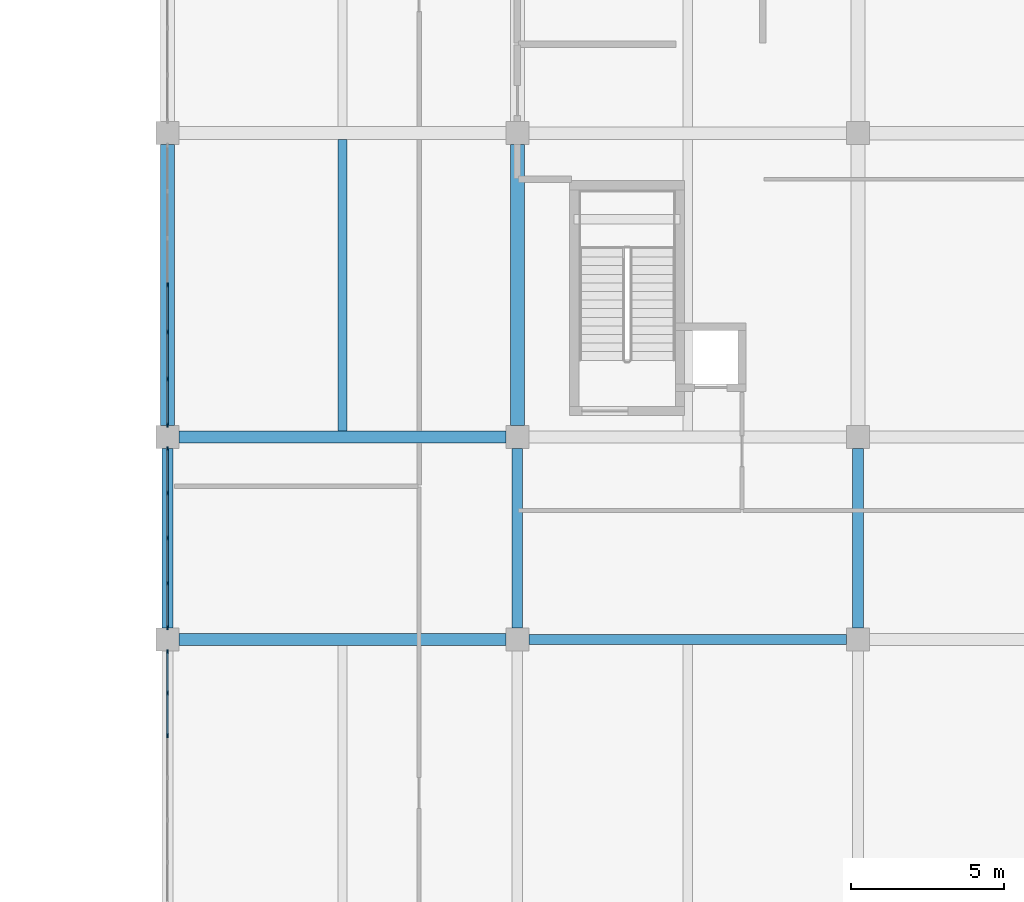
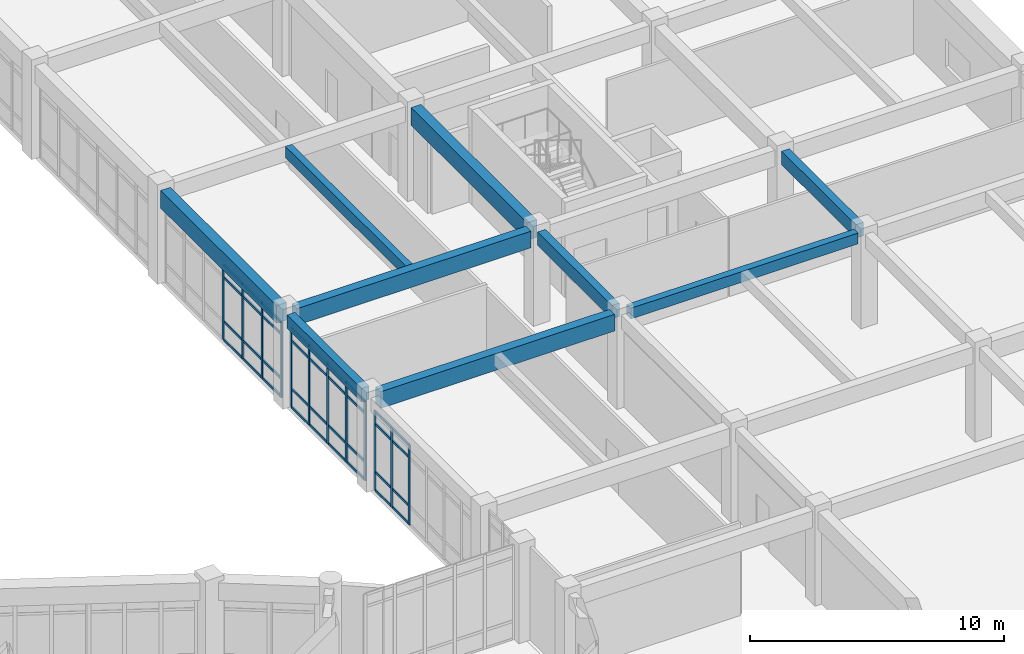
# One storey, part 28 of 68: 48 members, 9 beams, 3 elements without a shape of their own.
"""IFC4 building model written with IfcOpenShell, lengths in metres."""

from ifc_helpers import new_model, si_unit, direction, frame, origin, origin_2d, place, context, subcontext, project, spatial, rectangle, extrude, material, layer, layer_set, material_profile, profile_set, type_object, element, aggregate, save


model = new_model("IFC4")

# Units and contexts
model_context = context("Model", 3, precision=1e-05, world=origin(), true_north=direction((0.0, 1.0)))
body_context = subcontext(model_context, "Body", "Model", "MODEL_VIEW")
ifc_project = project(units=[si_unit("LENGTHUNIT", "METRE"), si_unit("AREAUNIT", "SQUARE_METRE"), si_unit("VOLUMEUNIT", "CUBIC_METRE"), si_unit("PLANEANGLEUNIT", "RADIAN"), si_unit("MASSUNIT", "GRAM", prefix="KILO")], contexts=[model_context])

# Site, building, storey
site_placement = place(None, origin())
site = spatial("IfcSite", under=ifc_project, at=site_placement, CompositionType="ELEMENT")
building_placement = place(site_placement, origin())
building = spatial("IfcBuilding", under=site, at=building_placement, Name="Miralva Faculty of Natural Sciences", CompositionType="ELEMENT")
storey_placement = place(building_placement, frame((0.0, 0.0, 5.39990234375)))
storey = spatial("IfcBuildingStorey", under=building, at=storey_placement, Name="L01", CompositionType="ELEMENT", Elevation=5.39990234375)

# Beams
ifc_material_1 = material(Name="Concrete C40/50", Category="concrete")
ifc_material_profile_1 = material_profile(ifc_material_1, rectangle(XDim=0.449951171875, YDim=0.85009765625, at=origin_2d()), Name="RC 450x850")
ifc_profile_set_1 = profile_set([ifc_material_profile_1], Name="Concrete C40/50")
beam_type_1 = type_object("IfcBeamType", Name="BM-B01", PredefinedType="BEAM", material=ifc_profile_set_1)
for number, where, z_axis, x_axis, name in (
    (1, (133.800048828125, 45.97509765625, 4.05517578125), (0.0, 1.0, 0.0), (-1.0, 0.0, 0.0), "Girder NS L01-164"),
    (2, (145.199951171875, 45.97509765625, 4.05517578125), (0.0, 1.0, 0.0), (-1.0, 0.0, 0.0), "Girder NS L01-171"),
):
    element("IfcBeam", number, at=place(storey_placement, frame(where, z_axis=z_axis, x_axis=x_axis)), inside=storey, type_object=beam_type_1, Name=name, PredefinedType="BEAM", context=body_context, shape_type="SweptSolid", body=[
        extrude(rectangle(XDim=0.449951171875, YDim=0.85009765625, at=origin_2d()), origin(), (0.0, 0.0, 1.0), 9.14990234375),
    ])
ifc_material_profile_2 = material_profile(ifc_material_1, rectangle(XDim=0.39990234375, YDim=0.800048828125, at=origin_2d()), Name="RC 400x800")
ifc_profile_set_2 = profile_set([ifc_material_profile_2], Name="Concrete C40/50")
beam_type_2 = type_object("IfcBeamType", Name="BM-B02", PredefinedType="BEAM", material=ifc_profile_set_2)
for number, where, z_axis, x_axis, name in (
    (3, (134.175048828125, 39.0, 4.080078125), (1.0, 0.0, 0.0), (0.0, 1.0, 0.0), "Girder EW L01-42"),
    (4, (134.175048828125, 45.60009765625, 4.080078125), (1.0, 0.0, 0.0), (0.0, 1.0, 0.0), "Girder EW L01-48"),
):
    element("IfcBeam", number, at=place(storey_placement, frame(where, z_axis=z_axis, x_axis=x_axis)), inside=storey, type_object=beam_type_2, Name=name, PredefinedType="BEAM", context=body_context, shape_type="SweptSolid", body=[
        extrude(rectangle(XDim=0.39990234375, YDim=0.800048828125, at=origin_2d()), origin(), (0.0, 0.0, 1.0), 10.64990234375),
    ])
ifc_material_profile_3 = material_profile(ifc_material_1, rectangle(XDim=0.35009765625, YDim=0.64990234375, at=origin_2d()), Name="RC 350x650")
ifc_profile_set_3 = profile_set([ifc_material_profile_3], Name="Concrete C40/50")
beam_type_3 = type_object("IfcBeamType", Name="BM-B05", PredefinedType="BEAM", material=ifc_profile_set_3)
for number, where, z_axis, x_axis, name in (
    (5, (133.800048828125, 39.375, 4.155029296875), (0.0, 1.0, 0.0), (-1.0, 0.0, 0.0), "Girder NS L01-163"),
    (6, (145.199951171875, 39.375, 4.155029296875), (0.0, 1.0, 0.0), (-1.0, 0.0, 0.0), "Girder NS L01-170"),
    (7, (156.300048828125, 39.375, 4.155029296875), (0.0, 1.0, 0.0), (-1.0, 0.0, 0.0), "Girder NS L01-177"),
):
    element("IfcBeam", number, at=place(storey_placement, frame(where, z_axis=z_axis, x_axis=x_axis)), inside=storey, type_object=beam_type_3, Name=name, PredefinedType="BEAM", context=body_context, shape_type="SweptSolid", body=[
        extrude(rectangle(XDim=0.35009765625, YDim=0.64990234375, at=origin_2d()), origin(), (0.0, 0.0, 1.0), 5.85009765625),
    ])
ifc_material_profile_4 = material_profile(ifc_material_1, rectangle(XDim=0.320068359375, YDim=0.52001953125, at=origin_2d()), Name="RC 320x520")
ifc_profile_set_4 = profile_set([ifc_material_profile_4], Name="Concrete C40/50")
beam_type_4 = type_object("IfcBeamType", Name="BM-BG01", PredefinedType="BEAM", material=ifc_profile_set_4)
beam_1_placement = place(storey_placement, frame((145.574951171875, 39.0, 4.22021484375), z_axis=(1.0, 0.0, 0.0), x_axis=(0.0, 1.0, 0.0)))
element("IfcBeam", 8, at=beam_1_placement, inside=storey, type_object=beam_type_4, Name="Girder EW L01-43", PredefinedType="BEAM", context=body_context, shape_type="SweptSolid", body=[
    extrude(rectangle(XDim=0.320068359375, YDim=0.52001953125, at=origin_2d()), origin(), (0.0, 0.0, 1.0), 10.35009765625),
])
ifc_material_profile_5 = material_profile(ifc_material_1, rectangle(XDim=0.300048828125, YDim=0.550048828125, at=origin_2d()), Name="RC 300x550")
ifc_profile_set_5 = profile_set([ifc_material_profile_5], Name="Concrete C40/50")
beam_type_5 = type_object("IfcBeamType", Name="BM-J02", PredefinedType="JOIST", material=ifc_profile_set_5)
beam_2_placement = place(storey_placement, frame((139.5, 45.800048828125, 4.205078125), z_axis=(0.0, 1.0, 0.0), x_axis=(-1.0, 0.0, 0.0)))
element("IfcBeam", 9, at=beam_2_placement, inside=storey, type_object=beam_type_5, Name="Floor joist L01-14", PredefinedType="JOIST", context=body_context, shape_type="SweptSolid", body=[
    extrude(rectangle(XDim=0.300048828125, YDim=0.550048828125, at=origin_2d()), origin(), (0.0, 0.0, 1.0), 9.489990234375),
])

# Curtain wall, members
ifc_material_2 = material(Name="Laminated solar-control glass", Category="glass")
ifc_layer = layer(ifc_material_2, 0.179931640625, Name="CW-COM-L01")
ifc_layer_set = layer_set([ifc_layer], Name="Laminated solar-control glass")
curtain_wall_type = type_object("IfcCurtainWallType", Name="CW-COM-L01", PredefinedType="USERDEFINED", material=ifc_layer_set)
curtain_wall_1_placement = place(storey_placement, origin())
curtain_wall_1 = element("IfcCurtainWall", 10, at=curtain_wall_1_placement, inside=storey, type_object=curtain_wall_type, Name="Curtain wall CW-10 L01-263", ObjectType="UNITISED CURTAIN WALL", PredefinedType="USERDEFINED")
ifc_material_3 = material(Name="Anodised aluminium", Category="aluminium")
ifc_material_profile_6 = material_profile(ifc_material_3, rectangle(XDim=0.06005859375, YDim=0.139892578125, at=origin_2d()), Name="MULLION 60x140")
ifc_profile_set_6 = profile_set([ifc_material_profile_6], Name="Anodised aluminium")
member_type_1 = type_object("IfcMemberType", Name="CW-M03", PredefinedType="MULLION", material=ifc_profile_set_6)
member_1_placement = place(storey_placement, frame((133.800048828125, 35.87841796875, 0.0), z_axis=(0.0, 0.0, 1.0), x_axis=(-1.0, 0.0, 0.0)))
member_1 = element("IfcMember", 11, at=member_1_placement, type_object=member_type_1, Name="CW-10 mullion 5", PredefinedType="MULLION", context=body_context, shape_type="SweptSolid", body=[
    extrude(rectangle(XDim=0.06005859375, YDim=0.139892578125, at=origin_2d()), origin(), (0.0, 0.0, 1.0), 3.8251953125),
])
member_2_placement = place(storey_placement, frame((133.800048828125, 37.256591796875, 0.0), z_axis=(0.0, 0.0, 1.0), x_axis=(-1.0, 0.0, 0.0)))
member_2 = element("IfcMember", 12, at=member_2_placement, type_object=member_type_1, Name="CW-10 mullion 6", PredefinedType="MULLION", context=body_context, shape_type="SweptSolid", body=[
    extrude(rectangle(XDim=0.06005859375, YDim=0.139892578125, at=origin_2d()), origin(), (0.0, 0.0, 1.0), 3.8251953125),
])
member_3_placement = place(storey_placement, frame((133.800048828125, 38.60498046875, 0.0), z_axis=(0.0, 0.0, 1.0), x_axis=(-1.0, 0.0, 0.0)))
member_3 = element("IfcMember", 13, at=member_3_placement, type_object=member_type_1, Name="CW-10 mullion 7", PredefinedType="MULLION", context=body_context, shape_type="SweptSolid", body=[
    extrude(rectangle(XDim=0.06005859375, YDim=0.139892578125, at=origin_2d()), origin(), (0.0, 0.0, 1.0), 3.8251953125),
])

curtain_wall_2_placement = place(storey_placement, origin())
curtain_wall_2 = element("IfcCurtainWall", 14, at=curtain_wall_2_placement, inside=storey, type_object=curtain_wall_type, Name="Curtain wall CW-10 L01-264", ObjectType="UNITISED CURTAIN WALL", PredefinedType="USERDEFINED")
member_4_placement = place(storey_placement, frame((133.800048828125, 39.39501953125, 0.0), z_axis=(0.0, 0.0, 1.0), x_axis=(-1.0, 0.0, 0.0)))
member_4 = element("IfcMember", 15, at=member_4_placement, type_object=member_type_1, Name="CW-10 mullion 1", PredefinedType="MULLION", context=body_context, shape_type="SweptSolid", body=[
    extrude(rectangle(XDim=0.06005859375, YDim=0.139892578125, at=origin_2d()), origin(), (0.0, 0.0, 1.0), 3.8251953125),
])
member_5_placement = place(storey_placement, frame((133.800048828125, 40.8349609375, 0.0), z_axis=(0.0, 0.0, 1.0), x_axis=(-1.0, 0.0, 0.0)))
member_5 = element("IfcMember", 16, at=member_5_placement, type_object=member_type_1, Name="CW-10 mullion 2", PredefinedType="MULLION", context=body_context, shape_type="SweptSolid", body=[
    extrude(rectangle(XDim=0.06005859375, YDim=0.139892578125, at=origin_2d()), origin(), (0.0, 0.0, 1.0), 3.8251953125),
])
member_6_placement = place(storey_placement, frame((133.800048828125, 42.304931640625, 0.0), z_axis=(0.0, 0.0, 1.0), x_axis=(-1.0, 0.0, 0.0)))
member_6 = element("IfcMember", 17, at=member_6_placement, type_object=member_type_1, Name="CW-10 mullion 3", PredefinedType="MULLION", context=body_context, shape_type="SweptSolid", body=[
    extrude(rectangle(XDim=0.06005859375, YDim=0.139892578125, at=origin_2d()), origin(), (0.0, 0.0, 1.0), 3.8251953125),
])
member_7_placement = place(storey_placement, frame((133.800048828125, 43.77490234375, 0.0), z_axis=(0.0, 0.0, 1.0), x_axis=(-1.0, 0.0, 0.0)))
member_7 = element("IfcMember", 18, at=member_7_placement, type_object=member_type_1, Name="CW-10 mullion 4", PredefinedType="MULLION", context=body_context, shape_type="SweptSolid", body=[
    extrude(rectangle(XDim=0.06005859375, YDim=0.139892578125, at=origin_2d()), origin(), (0.0, 0.0, 1.0), 3.8251953125),
])
member_8_placement = place(storey_placement, frame((133.800048828125, 45.215087890625, 0.0), z_axis=(0.0, 0.0, 1.0), x_axis=(-1.0, 0.0, 0.0)))
member_8 = element("IfcMember", 19, at=member_8_placement, type_object=member_type_1, Name="CW-10 mullion 5", PredefinedType="MULLION", context=body_context, shape_type="SweptSolid", body=[
    extrude(rectangle(XDim=0.06005859375, YDim=0.139892578125, at=origin_2d()), origin(), (0.0, 0.0, 1.0), 3.8251953125),
])

curtain_wall_3_placement = place(storey_placement, origin())
curtain_wall_3 = element("IfcCurtainWall", 20, at=curtain_wall_3_placement, inside=storey, type_object=curtain_wall_type, Name="Curtain wall CW-10 L01-265", ObjectType="UNITISED CURTAIN WALL", PredefinedType="USERDEFINED")
member_9_placement = place(storey_placement, frame((133.800048828125, 45.9951171875, 0.0), z_axis=(0.0, 0.0, 1.0), x_axis=(-1.0, 0.0, 0.0)))
member_9 = element("IfcMember", 21, at=member_9_placement, type_object=member_type_1, Name="CW-10 mullion 1", PredefinedType="MULLION", context=body_context, shape_type="SweptSolid", body=[
    extrude(rectangle(XDim=0.06005859375, YDim=0.139892578125, at=origin_2d()), origin(), (0.0, 0.0, 1.0), 3.625),
])
member_10_placement = place(storey_placement, frame((133.800048828125, 47.493408203125, 0.0), z_axis=(0.0, 0.0, 1.0), x_axis=(-1.0, 0.0, 0.0)))
member_10 = element("IfcMember", 22, at=member_10_placement, type_object=member_type_1, Name="CW-10 mullion 2", PredefinedType="MULLION", context=body_context, shape_type="SweptSolid", body=[
    extrude(rectangle(XDim=0.06005859375, YDim=0.139892578125, at=origin_2d()), origin(), (0.0, 0.0, 1.0), 3.625),
])
member_11_placement = place(storey_placement, frame((133.800048828125, 49.021728515625, 0.0), z_axis=(0.0, 0.0, 1.0), x_axis=(-1.0, 0.0, 0.0)))
member_11 = element("IfcMember", 23, at=member_11_placement, type_object=member_type_1, Name="CW-10 mullion 3", PredefinedType="MULLION", context=body_context, shape_type="SweptSolid", body=[
    extrude(rectangle(XDim=0.06005859375, YDim=0.139892578125, at=origin_2d()), origin(), (0.0, 0.0, 1.0), 3.625),
])
member_12_placement = place(storey_placement, frame((133.800048828125, 50.550048828125, 0.0), z_axis=(0.0, 0.0, 1.0), x_axis=(-1.0, 0.0, 0.0)))
member_12 = element("IfcMember", 24, at=member_12_placement, type_object=member_type_1, Name="CW-10 mullion 4", PredefinedType="MULLION", context=body_context, shape_type="SweptSolid", body=[
    extrude(rectangle(XDim=0.06005859375, YDim=0.139892578125, at=origin_2d()), origin(), (0.0, 0.0, 1.0), 3.625),
])

# Member
ifc_material_profile_7 = material_profile(ifc_material_3, rectangle(XDim=0.06005859375, YDim=0.1201171875, at=origin_2d()), Name="TRANSOM 60x120")
ifc_profile_set_7 = profile_set([ifc_material_profile_7], Name="Anodised aluminium")
member_type_2 = type_object("IfcMemberType", Name="CW-T02", PredefinedType="USERDEFINED", material=ifc_profile_set_7)
member_13_placement = place(storey_placement, frame((133.800048828125, 35.908447265625, 0.030029296875), z_axis=(0.0, 1.0, 0.0), x_axis=(-1.0, 0.0, 0.0)))
member_13 = element("IfcMember", 25, at=member_13_placement, type_object=member_type_2, Name="CW-10 transom 5.1", ObjectType="TRANSOM", PredefinedType="USERDEFINED", context=body_context, shape_type="SweptSolid", body=[
    extrude(rectangle(XDim=0.06005859375, YDim=0.1201171875, at=origin_2d()), origin(), (0.0, 0.0, 1.0), 1.318115234375),
])

member_14_placement = place(storey_placement, frame((133.800048828125, 35.908447265625, 0.900146484375), z_axis=(0.0, 1.0, 0.0), x_axis=(-1.0, 0.0, 0.0)))
member_14 = element("IfcMember", 26, at=member_14_placement, type_object=member_type_2, Name="CW-10 transom 5.2", ObjectType="TRANSOM", PredefinedType="USERDEFINED", context=body_context, shape_type="SweptSolid", body=[
    extrude(rectangle(XDim=0.06005859375, YDim=0.1201171875, at=origin_2d()), origin(), (0.0, 0.0, 1.0), 1.318115234375),
])

member_15_placement = place(storey_placement, frame((133.800048828125, 35.908447265625, 3.22509765625), z_axis=(0.0, 1.0, 0.0), x_axis=(-1.0, 0.0, 0.0)))
member_15 = element("IfcMember", 27, at=member_15_placement, type_object=member_type_2, Name="CW-10 transom 5.3", ObjectType="TRANSOM", PredefinedType="USERDEFINED", context=body_context, shape_type="SweptSolid", body=[
    extrude(rectangle(XDim=0.06005859375, YDim=0.1201171875, at=origin_2d()), origin(), (0.0, 0.0, 1.0), 1.318115234375),
])

member_16_placement = place(storey_placement, frame((133.800048828125, 35.908447265625, 3.795166015625), z_axis=(0.0, 1.0, 0.0), x_axis=(-1.0, 0.0, 0.0)))
member_16 = element("IfcMember", 28, at=member_16_placement, type_object=member_type_2, Name="CW-10 transom 5.4", ObjectType="TRANSOM", PredefinedType="USERDEFINED", context=body_context, shape_type="SweptSolid", body=[
    extrude(rectangle(XDim=0.06005859375, YDim=0.1201171875, at=origin_2d()), origin(), (0.0, 0.0, 1.0), 1.318115234375),
])

member_17_placement = place(storey_placement, frame((133.800048828125, 37.28662109375, 0.030029296875), z_axis=(0.0, 1.0, 0.0), x_axis=(-1.0, 0.0, 0.0)))
member_17 = element("IfcMember", 29, at=member_17_placement, type_object=member_type_2, Name="CW-10 transom 6.1", ObjectType="TRANSOM", PredefinedType="USERDEFINED", context=body_context, shape_type="SweptSolid", body=[
    extrude(rectangle(XDim=0.06005859375, YDim=0.1201171875, at=origin_2d()), origin(), (0.0, 0.0, 1.0), 1.288330078125),
])

member_18_placement = place(storey_placement, frame((133.800048828125, 37.28662109375, 0.900146484375), z_axis=(0.0, 1.0, 0.0), x_axis=(-1.0, 0.0, 0.0)))
member_18 = element("IfcMember", 30, at=member_18_placement, type_object=member_type_2, Name="CW-10 transom 6.2", ObjectType="TRANSOM", PredefinedType="USERDEFINED", context=body_context, shape_type="SweptSolid", body=[
    extrude(rectangle(XDim=0.06005859375, YDim=0.1201171875, at=origin_2d()), origin(), (0.0, 0.0, 1.0), 1.288330078125),
])

member_19_placement = place(storey_placement, frame((133.800048828125, 37.28662109375, 3.22509765625), z_axis=(0.0, 1.0, 0.0), x_axis=(-1.0, 0.0, 0.0)))
member_19 = element("IfcMember", 31, at=member_19_placement, type_object=member_type_2, Name="CW-10 transom 6.3", ObjectType="TRANSOM", PredefinedType="USERDEFINED", context=body_context, shape_type="SweptSolid", body=[
    extrude(rectangle(XDim=0.06005859375, YDim=0.1201171875, at=origin_2d()), origin(), (0.0, 0.0, 1.0), 1.288330078125),
])

member_20_placement = place(storey_placement, frame((133.800048828125, 37.28662109375, 3.795166015625), z_axis=(0.0, 1.0, 0.0), x_axis=(-1.0, 0.0, 0.0)))
member_20 = element("IfcMember", 32, at=member_20_placement, type_object=member_type_2, Name="CW-10 transom 6.4", ObjectType="TRANSOM", PredefinedType="USERDEFINED", context=body_context, shape_type="SweptSolid", body=[
    extrude(rectangle(XDim=0.06005859375, YDim=0.1201171875, at=origin_2d()), origin(), (0.0, 0.0, 1.0), 1.288330078125),
])

aggregate(curtain_wall_1, [member_1, member_2, member_3, member_13, member_14, member_15, member_16, member_17, member_18, member_19, member_20])

member_21_placement = place(storey_placement, frame((133.800048828125, 39.425048828125, 0.030029296875), z_axis=(0.0, 1.0, 0.0), x_axis=(-1.0, 0.0, 0.0)))
member_21 = element("IfcMember", 33, at=member_21_placement, type_object=member_type_2, Name="CW-10 transom 1.1", ObjectType="TRANSOM", PredefinedType="USERDEFINED", context=body_context, shape_type="SweptSolid", body=[
    extrude(rectangle(XDim=0.06005859375, YDim=0.1201171875, at=origin_2d()), origin(), (0.0, 0.0, 1.0), 1.3798828125),
])

member_22_placement = place(storey_placement, frame((133.800048828125, 39.425048828125, 0.900146484375), z_axis=(0.0, 1.0, 0.0), x_axis=(-1.0, 0.0, 0.0)))
member_22 = element("IfcMember", 34, at=member_22_placement, type_object=member_type_2, Name="CW-10 transom 1.2", ObjectType="TRANSOM", PredefinedType="USERDEFINED", context=body_context, shape_type="SweptSolid", body=[
    extrude(rectangle(XDim=0.06005859375, YDim=0.1201171875, at=origin_2d()), origin(), (0.0, 0.0, 1.0), 1.3798828125),
])

member_23_placement = place(storey_placement, frame((133.800048828125, 39.425048828125, 3.22509765625), z_axis=(0.0, 1.0, 0.0), x_axis=(-1.0, 0.0, 0.0)))
member_23 = element("IfcMember", 35, at=member_23_placement, type_object=member_type_2, Name="CW-10 transom 1.3", ObjectType="TRANSOM", PredefinedType="USERDEFINED", context=body_context, shape_type="SweptSolid", body=[
    extrude(rectangle(XDim=0.06005859375, YDim=0.1201171875, at=origin_2d()), origin(), (0.0, 0.0, 1.0), 1.3798828125),
])

member_24_placement = place(storey_placement, frame((133.800048828125, 39.425048828125, 3.795166015625), z_axis=(0.0, 1.0, 0.0), x_axis=(-1.0, 0.0, 0.0)))
member_24 = element("IfcMember", 36, at=member_24_placement, type_object=member_type_2, Name="CW-10 transom 1.4", ObjectType="TRANSOM", PredefinedType="USERDEFINED", context=body_context, shape_type="SweptSolid", body=[
    extrude(rectangle(XDim=0.06005859375, YDim=0.1201171875, at=origin_2d()), origin(), (0.0, 0.0, 1.0), 1.3798828125),
])

member_25_placement = place(storey_placement, frame((133.800048828125, 40.864990234375, 0.030029296875), z_axis=(0.0, 1.0, 0.0), x_axis=(-1.0, 0.0, 0.0)))
member_25 = element("IfcMember", 37, at=member_25_placement, type_object=member_type_2, Name="CW-10 transom 2.1", ObjectType="TRANSOM", PredefinedType="USERDEFINED", context=body_context, shape_type="SweptSolid", body=[
    extrude(rectangle(XDim=0.06005859375, YDim=0.1201171875, at=origin_2d()), origin(), (0.0, 0.0, 1.0), 1.409912109375),
])

member_26_placement = place(storey_placement, frame((133.800048828125, 40.864990234375, 0.900146484375), z_axis=(0.0, 1.0, 0.0), x_axis=(-1.0, 0.0, 0.0)))
member_26 = element("IfcMember", 38, at=member_26_placement, type_object=member_type_2, Name="CW-10 transom 2.2", ObjectType="TRANSOM", PredefinedType="USERDEFINED", context=body_context, shape_type="SweptSolid", body=[
    extrude(rectangle(XDim=0.06005859375, YDim=0.1201171875, at=origin_2d()), origin(), (0.0, 0.0, 1.0), 1.409912109375),
])

member_27_placement = place(storey_placement, frame((133.800048828125, 40.864990234375, 3.22509765625), z_axis=(0.0, 1.0, 0.0), x_axis=(-1.0, 0.0, 0.0)))
member_27 = element("IfcMember", 39, at=member_27_placement, type_object=member_type_2, Name="CW-10 transom 2.3", ObjectType="TRANSOM", PredefinedType="USERDEFINED", context=body_context, shape_type="SweptSolid", body=[
    extrude(rectangle(XDim=0.06005859375, YDim=0.1201171875, at=origin_2d()), origin(), (0.0, 0.0, 1.0), 1.409912109375),
])

member_28_placement = place(storey_placement, frame((133.800048828125, 40.864990234375, 3.795166015625), z_axis=(0.0, 1.0, 0.0), x_axis=(-1.0, 0.0, 0.0)))
member_28 = element("IfcMember", 40, at=member_28_placement, type_object=member_type_2, Name="CW-10 transom 2.4", ObjectType="TRANSOM", PredefinedType="USERDEFINED", context=body_context, shape_type="SweptSolid", body=[
    extrude(rectangle(XDim=0.06005859375, YDim=0.1201171875, at=origin_2d()), origin(), (0.0, 0.0, 1.0), 1.409912109375),
])

member_29_placement = place(storey_placement, frame((133.800048828125, 42.3349609375, 0.030029296875), z_axis=(0.0, 1.0, 0.0), x_axis=(-1.0, 0.0, 0.0)))
member_29 = element("IfcMember", 41, at=member_29_placement, type_object=member_type_2, Name="CW-10 transom 3.1", ObjectType="TRANSOM", PredefinedType="USERDEFINED", context=body_context, shape_type="SweptSolid", body=[
    extrude(rectangle(XDim=0.06005859375, YDim=0.1201171875, at=origin_2d()), origin(), (0.0, 0.0, 1.0), 1.41015625),
])

member_30_placement = place(storey_placement, frame((133.800048828125, 42.3349609375, 0.900146484375), z_axis=(0.0, 1.0, 0.0), x_axis=(-1.0, 0.0, 0.0)))
member_30 = element("IfcMember", 42, at=member_30_placement, type_object=member_type_2, Name="CW-10 transom 3.2", ObjectType="TRANSOM", PredefinedType="USERDEFINED", context=body_context, shape_type="SweptSolid", body=[
    extrude(rectangle(XDim=0.06005859375, YDim=0.1201171875, at=origin_2d()), origin(), (0.0, 0.0, 1.0), 1.41015625),
])

member_31_placement = place(storey_placement, frame((133.800048828125, 42.3349609375, 3.22509765625), z_axis=(0.0, 1.0, 0.0), x_axis=(-1.0, 0.0, 0.0)))
member_31 = element("IfcMember", 43, at=member_31_placement, type_object=member_type_2, Name="CW-10 transom 3.3", ObjectType="TRANSOM", PredefinedType="USERDEFINED", context=body_context, shape_type="SweptSolid", body=[
    extrude(rectangle(XDim=0.06005859375, YDim=0.1201171875, at=origin_2d()), origin(), (0.0, 0.0, 1.0), 1.41015625),
])

member_32_placement = place(storey_placement, frame((133.800048828125, 42.3349609375, 3.795166015625), z_axis=(0.0, 1.0, 0.0), x_axis=(-1.0, 0.0, 0.0)))
member_32 = element("IfcMember", 44, at=member_32_placement, type_object=member_type_2, Name="CW-10 transom 3.4", ObjectType="TRANSOM", PredefinedType="USERDEFINED", context=body_context, shape_type="SweptSolid", body=[
    extrude(rectangle(XDim=0.06005859375, YDim=0.1201171875, at=origin_2d()), origin(), (0.0, 0.0, 1.0), 1.41015625),
])

member_33_placement = place(storey_placement, frame((133.800048828125, 43.804931640625, 0.030029296875), z_axis=(0.0, 1.0, 0.0), x_axis=(-1.0, 0.0, 0.0)))
member_33 = element("IfcMember", 45, at=member_33_placement, type_object=member_type_2, Name="CW-10 transom 4.1", ObjectType="TRANSOM", PredefinedType="USERDEFINED", context=body_context, shape_type="SweptSolid", body=[
    extrude(rectangle(XDim=0.06005859375, YDim=0.1201171875, at=origin_2d()), origin(), (0.0, 0.0, 1.0), 1.380126953125),
])

member_34_placement = place(storey_placement, frame((133.800048828125, 43.804931640625, 0.900146484375), z_axis=(0.0, 1.0, 0.0), x_axis=(-1.0, 0.0, 0.0)))
member_34 = element("IfcMember", 46, at=member_34_placement, type_object=member_type_2, Name="CW-10 transom 4.2", ObjectType="TRANSOM", PredefinedType="USERDEFINED", context=body_context, shape_type="SweptSolid", body=[
    extrude(rectangle(XDim=0.06005859375, YDim=0.1201171875, at=origin_2d()), origin(), (0.0, 0.0, 1.0), 1.380126953125),
])

member_35_placement = place(storey_placement, frame((133.800048828125, 43.804931640625, 3.22509765625), z_axis=(0.0, 1.0, 0.0), x_axis=(-1.0, 0.0, 0.0)))
member_35 = element("IfcMember", 47, at=member_35_placement, type_object=member_type_2, Name="CW-10 transom 4.3", ObjectType="TRANSOM", PredefinedType="USERDEFINED", context=body_context, shape_type="SweptSolid", body=[
    extrude(rectangle(XDim=0.06005859375, YDim=0.1201171875, at=origin_2d()), origin(), (0.0, 0.0, 1.0), 1.380126953125),
])

member_36_placement = place(storey_placement, frame((133.800048828125, 43.804931640625, 3.795166015625), z_axis=(0.0, 1.0, 0.0), x_axis=(-1.0, 0.0, 0.0)))
member_36 = element("IfcMember", 48, at=member_36_placement, type_object=member_type_2, Name="CW-10 transom 4.4", ObjectType="TRANSOM", PredefinedType="USERDEFINED", context=body_context, shape_type="SweptSolid", body=[
    extrude(rectangle(XDim=0.06005859375, YDim=0.1201171875, at=origin_2d()), origin(), (0.0, 0.0, 1.0), 1.380126953125),
])

aggregate(curtain_wall_2, [member_4, member_5, member_6, member_7, member_8, member_21, member_22, member_23, member_24, member_25, member_26, member_27, member_28, member_29, member_30, member_31, member_32, member_33, member_34, member_35, member_36])

member_37_placement = place(storey_placement, frame((133.800048828125, 46.02490234375, 0.030029296875), z_axis=(0.0, 1.0, 0.0), x_axis=(-1.0, 0.0, 0.0)))
member_37 = element("IfcMember", 49, at=member_37_placement, type_object=member_type_2, Name="CW-10 transom 1.1", ObjectType="TRANSOM", PredefinedType="USERDEFINED", context=body_context, shape_type="SweptSolid", body=[
    extrude(rectangle(XDim=0.06005859375, YDim=0.1201171875, at=origin_2d()), origin(), (0.0, 0.0, 1.0), 1.4384765625),
])

member_38_placement = place(storey_placement, frame((133.800048828125, 46.02490234375, 0.900146484375), z_axis=(0.0, 1.0, 0.0), x_axis=(-1.0, 0.0, 0.0)))
member_38 = element("IfcMember", 50, at=member_38_placement, type_object=member_type_2, Name="CW-10 transom 1.2", ObjectType="TRANSOM", PredefinedType="USERDEFINED", context=body_context, shape_type="SweptSolid", body=[
    extrude(rectangle(XDim=0.06005859375, YDim=0.1201171875, at=origin_2d()), origin(), (0.0, 0.0, 1.0), 1.4384765625),
])

member_39_placement = place(storey_placement, frame((133.800048828125, 46.02490234375, 3.025146484375), z_axis=(0.0, 1.0, 0.0), x_axis=(-1.0, 0.0, 0.0)))
member_39 = element("IfcMember", 51, at=member_39_placement, type_object=member_type_2, Name="CW-10 transom 1.3", ObjectType="TRANSOM", PredefinedType="USERDEFINED", context=body_context, shape_type="SweptSolid", body=[
    extrude(rectangle(XDim=0.06005859375, YDim=0.1201171875, at=origin_2d()), origin(), (0.0, 0.0, 1.0), 1.4384765625),
])

member_40_placement = place(storey_placement, frame((133.800048828125, 46.02490234375, 3.59521484375), z_axis=(0.0, 1.0, 0.0), x_axis=(-1.0, 0.0, 0.0)))
member_40 = element("IfcMember", 52, at=member_40_placement, type_object=member_type_2, Name="CW-10 transom 1.4", ObjectType="TRANSOM", PredefinedType="USERDEFINED", context=body_context, shape_type="SweptSolid", body=[
    extrude(rectangle(XDim=0.06005859375, YDim=0.1201171875, at=origin_2d()), origin(), (0.0, 0.0, 1.0), 1.4384765625),
])

member_41_placement = place(storey_placement, frame((133.800048828125, 47.5234375, 0.030029296875), z_axis=(0.0, 1.0, 0.0), x_axis=(-1.0, 0.0, 0.0)))
member_41 = element("IfcMember", 53, at=member_41_placement, type_object=member_type_2, Name="CW-10 transom 2.1", ObjectType="TRANSOM", PredefinedType="USERDEFINED", context=body_context, shape_type="SweptSolid", body=[
    extrude(rectangle(XDim=0.06005859375, YDim=0.1201171875, at=origin_2d()), origin(), (0.0, 0.0, 1.0), 1.46826171875),
])

member_42_placement = place(storey_placement, frame((133.800048828125, 47.5234375, 0.900146484375), z_axis=(0.0, 1.0, 0.0), x_axis=(-1.0, 0.0, 0.0)))
member_42 = element("IfcMember", 54, at=member_42_placement, type_object=member_type_2, Name="CW-10 transom 2.2", ObjectType="TRANSOM", PredefinedType="USERDEFINED", context=body_context, shape_type="SweptSolid", body=[
    extrude(rectangle(XDim=0.06005859375, YDim=0.1201171875, at=origin_2d()), origin(), (0.0, 0.0, 1.0), 1.46826171875),
])

member_43_placement = place(storey_placement, frame((133.800048828125, 47.5234375, 3.025146484375), z_axis=(0.0, 1.0, 0.0), x_axis=(-1.0, 0.0, 0.0)))
member_43 = element("IfcMember", 55, at=member_43_placement, type_object=member_type_2, Name="CW-10 transom 2.3", ObjectType="TRANSOM", PredefinedType="USERDEFINED", context=body_context, shape_type="SweptSolid", body=[
    extrude(rectangle(XDim=0.06005859375, YDim=0.1201171875, at=origin_2d()), origin(), (0.0, 0.0, 1.0), 1.46826171875),
])

member_44_placement = place(storey_placement, frame((133.800048828125, 47.5234375, 3.59521484375), z_axis=(0.0, 1.0, 0.0), x_axis=(-1.0, 0.0, 0.0)))
member_44 = element("IfcMember", 56, at=member_44_placement, type_object=member_type_2, Name="CW-10 transom 2.4", ObjectType="TRANSOM", PredefinedType="USERDEFINED", context=body_context, shape_type="SweptSolid", body=[
    extrude(rectangle(XDim=0.06005859375, YDim=0.1201171875, at=origin_2d()), origin(), (0.0, 0.0, 1.0), 1.46826171875),
])

member_45_placement = place(storey_placement, frame((133.800048828125, 49.0517578125, 0.030029296875), z_axis=(0.0, 1.0, 0.0), x_axis=(-1.0, 0.0, 0.0)))
member_45 = element("IfcMember", 57, at=member_45_placement, type_object=member_type_2, Name="CW-10 transom 3.1", ObjectType="TRANSOM", PredefinedType="USERDEFINED", context=body_context, shape_type="SweptSolid", body=[
    extrude(rectangle(XDim=0.06005859375, YDim=0.1201171875, at=origin_2d()), origin(), (0.0, 0.0, 1.0), 1.46826171875),
])

member_46_placement = place(storey_placement, frame((133.800048828125, 49.0517578125, 0.900146484375), z_axis=(0.0, 1.0, 0.0), x_axis=(-1.0, 0.0, 0.0)))
member_46 = element("IfcMember", 58, at=member_46_placement, type_object=member_type_2, Name="CW-10 transom 3.2", ObjectType="TRANSOM", PredefinedType="USERDEFINED", context=body_context, shape_type="SweptSolid", body=[
    extrude(rectangle(XDim=0.06005859375, YDim=0.1201171875, at=origin_2d()), origin(), (0.0, 0.0, 1.0), 1.46826171875),
])

member_47_placement = place(storey_placement, frame((133.800048828125, 49.0517578125, 3.025146484375), z_axis=(0.0, 1.0, 0.0), x_axis=(-1.0, 0.0, 0.0)))
member_47 = element("IfcMember", 59, at=member_47_placement, type_object=member_type_2, Name="CW-10 transom 3.3", ObjectType="TRANSOM", PredefinedType="USERDEFINED", context=body_context, shape_type="SweptSolid", body=[
    extrude(rectangle(XDim=0.06005859375, YDim=0.1201171875, at=origin_2d()), origin(), (0.0, 0.0, 1.0), 1.46826171875),
])

member_48_placement = place(storey_placement, frame((133.800048828125, 49.0517578125, 3.59521484375), z_axis=(0.0, 1.0, 0.0), x_axis=(-1.0, 0.0, 0.0)))
member_48 = element("IfcMember", 60, at=member_48_placement, type_object=member_type_2, Name="CW-10 transom 3.4", ObjectType="TRANSOM", PredefinedType="USERDEFINED", context=body_context, shape_type="SweptSolid", body=[
    extrude(rectangle(XDim=0.06005859375, YDim=0.1201171875, at=origin_2d()), origin(), (0.0, 0.0, 1.0), 1.46826171875),
])

aggregate(curtain_wall_3, [member_9, member_10, member_11, member_12, member_37, member_38, member_39, member_40, member_41, member_42, member_43, member_44, member_45, member_46, member_47, member_48])

save(model, "model.ifc")
